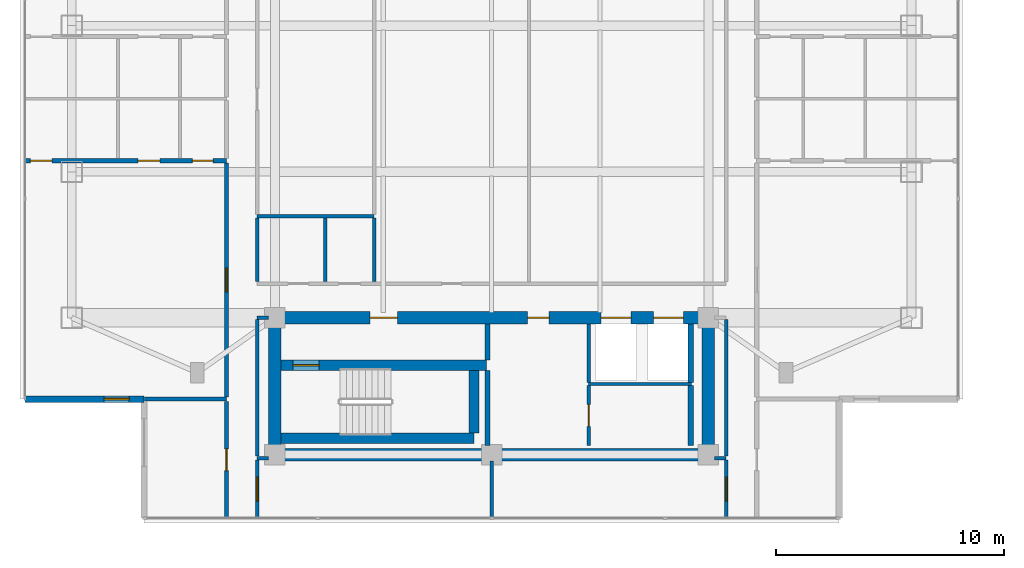
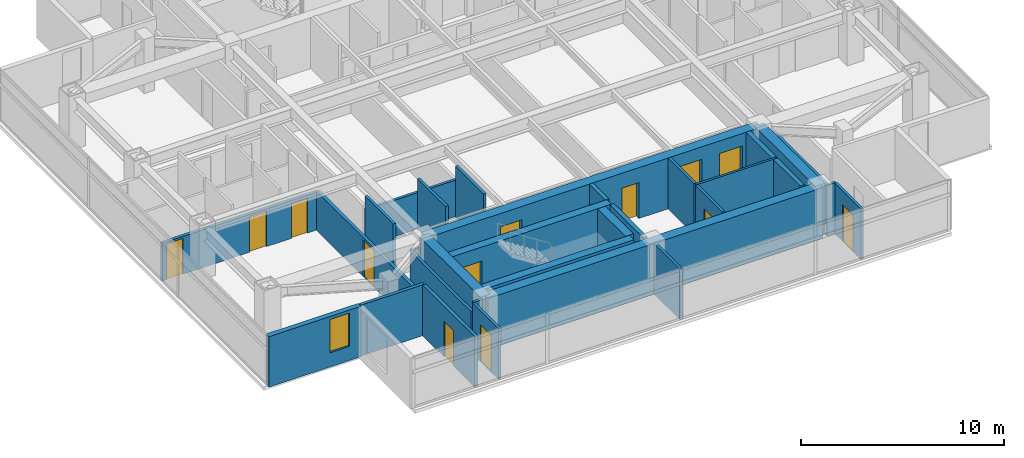
# One storey, part 12 of 24: 31 walls, 13 doors, 1 window, 14 openings.
"""IFC4 building model written with IfcOpenShell, lengths in metres."""

from ifc_helpers import new_model, si_unit, direction, frame, frame_2d, origin, place, context, subcontext, project, spatial, rectangle, extrude, material, layer, layer_set, type_object, element, fill, save


model = new_model("IFC4")

# Units and contexts
model_context = context("Model", 3, precision=1e-05, world=origin(), true_north=direction((0.0, 1.0)))
body_context = subcontext(model_context, "Body", "Model", "MODEL_VIEW")
ifc_project = project(units=[si_unit("LENGTHUNIT", "METRE"), si_unit("AREAUNIT", "SQUARE_METRE"), si_unit("VOLUMEUNIT", "CUBIC_METRE"), si_unit("PLANEANGLEUNIT", "RADIAN"), si_unit("MASSUNIT", "GRAM", prefix="KILO")], contexts=[model_context])

# Site, building, storey
site_placement = place(None, origin())
site = spatial("IfcSite", under=ifc_project, at=site_placement, CompositionType="ELEMENT")
building_placement = place(site_placement, origin())
building = spatial("IfcBuilding", under=site, at=building_placement, Name="Mirazonda Arch Towers", CompositionType="ELEMENT")
storey_placement = place(building_placement, frame((0.0, 0.0, 196.64990234375)))
storey = spatial("IfcBuildingStorey", under=building, at=storey_placement, Name="L56", CompositionType="ELEMENT", Elevation=196.64990234375)

# Wall
ifc_material_1 = material(Name="Concrete C50/60", Category="concrete")
ifc_layer_1 = layer(ifc_material_1, 0.449951171875, Name="WALL-CORE-450")
ifc_layer_set_1 = layer_set([ifc_layer_1], Name="Concrete C50/60")
wall_type_1 = type_object("IfcWallType", Name="WALL-CORE-450", PredefinedType="SHEAR", material=ifc_layer_set_1)
wall_1_placement = place(storey_placement, frame((11.27001953125, 13.1201171875, 0.0), z_axis=(0.0, 0.0, 1.0), x_axis=(1.0, 0.0, 0.0)))
element("IfcWall", 1, at=wall_1_placement, inside=storey, type_object=wall_type_1, Name="L56 Stair Core Shear Wall 003", PredefinedType="SHEAR", context=body_context, shape_type="SweptSolid", body=[
    extrude(rectangle(XDim=8.4599609375, YDim=0.449951171875, at=frame_2d((4.22998046875, 0.0))), origin(), (0.0, 0.0, 1.0), 3.050048828125),
])

# Wall, opening, door
wall_2_placement = place(storey_placement, frame((11.27001953125, 16.320068359375, 0.0), z_axis=(0.0, 0.0, 1.0), x_axis=(1.0, 0.0, 0.0)))
wall_2 = element("IfcWall", 2, at=wall_2_placement, inside=storey, type_object=wall_type_1, Name="L56 Stair Core Shear Wall 007", PredefinedType="SHEAR", context=body_context, shape_type="SweptSolid", body=[
    extrude(rectangle(XDim=9.010009765625, YDim=0.449951171875, at=frame_2d((4.5048828125, 0.0))), origin(), (0.0, 0.0, 1.0), 3.050048828125),
])
opening_1_placement = place(wall_2_placement, frame((0.52001953125, 0.0, 0.0)))
opening_1 = element("IfcOpeningElement", 3, at=opening_1_placement, cuts=wall_2, Name="Opening DR-135", PredefinedType="OPENING", context=body_context, shape_type="SweptSolid", body=[
    extrude(rectangle(XDim=1.14990234375, YDim=2.199951171875, at=frame_2d((0.574951171875, 1.10009765625))), frame((0.0, 0.23486328125, 0.0), z_axis=(0.0, -1.0, 0.0), x_axis=(1.0, 0.0, 0.0)), (0.0, 0.0, 1.0), 0.469970703125),
])
ifc_material_2 = material(Name="Architectural Brushed Steel S355", Category="steel")
door_type_1 = type_object("IfcDoorType", Name="DOOR-STAIR-FD90-1150", OperationType="NOTDEFINED", PredefinedType="DOOR", material=ifc_material_2)
door_1_placement = place(opening_1_placement, origin())
door_1 = element("IfcDoor", 4, at=door_1_placement, inside=storey, type_object=door_type_1, Name="L56 Protected Exit Stair South Door", OperationType="SINGLE_SWING_LEFT", OverallHeight=2.199951171875, OverallWidth=1.14990234375, PredefinedType="DOOR", context=body_context, shape_type="SweptSolid", body=[
    extrude(rectangle(XDim=1.14990234375, YDim=2.199951171875, at=frame_2d((0.574951171875, 1.10009765625))), frame((0.0, 0.02490234375, 0.0), z_axis=(0.0, -1.0, 0.0), x_axis=(1.0, 0.0, 0.0)), (0.0, 0.0, 1.0), 0.050048828125),
])
fill(opening_1, door_1)

# Walls
wall_3_placement = place(storey_placement, frame((19.72998046875, 13.35498046875, 0.0), z_axis=(0.0, 0.0, 1.0), x_axis=(0.0, 1.0, 0.0)))
element("IfcWall", 5, at=wall_3_placement, inside=storey, type_object=wall_type_1, Name="L56 Stair Core Shear Wall 076", PredefinedType="SHEAR", context=body_context, shape_type="SweptSolid", body=[
    extrude(rectangle(XDim=2.72998046875, YDim=0.449951171875, at=frame_2d((1.364990234375, 0.0))), origin(), (0.0, 0.0, 1.0), 3.050048828125),
])
ifc_layer_2 = layer(ifc_material_1, 0.550048828125, Name="WALL-CORE-550")
ifc_layer_set_2 = layer_set([ifc_layer_2], Name="Concrete C50/60")
wall_type_2 = type_object("IfcWallType", Name="WALL-CORE-550", PredefinedType="SHEAR", material=ifc_layer_set_2)
wall_4_placement = place(storey_placement, frame((11.0, 12.39990234375, 0.0), z_axis=(0.0, 0.0, 1.0), x_axis=(1.0, 0.0, 0.0)))
element("IfcWall", 6, at=wall_4_placement, inside=storey, type_object=wall_type_2, Name="L56 T1S-S Core Shear Wall", PredefinedType="SHEAR", context=body_context, shape_type="SweptSolid", body=[
    extrude(rectangle(XDim=19.0, YDim=0.550048828125, at=frame_2d((9.5, 0.0))), origin(), (0.0, 0.0, 1.0), 3.050048828125),
])
for number, where, z_axis, x_axis, name in (
    (7, (11.0, 12.39990234375, 0.0), (0.0, 0.0, 1.0), (0.0, 1.0, 0.0), "L56 T1S-W Core Shear Wall"),
    (8, (30.0, 12.39990234375, 0.0), (0.0, 0.0, 1.0), (0.0, 1.0, 0.0), "L56 T1S-E Core Shear Wall"),
):
    element("IfcWall", number, at=place(storey_placement, frame(where, z_axis=z_axis, x_axis=x_axis)), inside=storey, type_object=wall_type_2, Name=name, PredefinedType="SHEAR", context=body_context, shape_type="SweptSolid", body=[
        extrude(rectangle(XDim=6.0, YDim=0.550048828125, at=frame_2d((3.0, 0.0))), origin(), (0.0, 0.0, 1.0), 3.050048828125),
    ])

# Wall, openings, doors
wall_5_placement = place(storey_placement, frame((11.0, 18.39990234375, 0.0), z_axis=(0.0, 0.0, 1.0), x_axis=(1.0, 0.0, 0.0)))
wall_5 = element("IfcWall", 9, at=wall_5_placement, inside=storey, type_object=wall_type_2, Name="L56 T1S-N Core Shear Wall", PredefinedType="SHEAR", context=body_context, shape_type="SweptSolid", body=[
    extrude(rectangle(XDim=19.0, YDim=0.550048828125, at=frame_2d((9.5, 0.0))), origin(), (0.0, 0.0, 1.0), 3.050048828125),
])
opening_2_placement = place(wall_5_placement, frame((4.175048828125, 0.0, 0.0)))
opening_2 = element("IfcOpeningElement", 10, at=opening_2_placement, cuts=wall_5, Name="Opening DR-117", PredefinedType="OPENING", context=body_context, shape_type="SweptSolid", body=[
    extrude(rectangle(XDim=1.199951171875, YDim=2.25, at=frame_2d((0.60009765625, 1.125))), frame((0.0, 0.284912109375, 0.0), z_axis=(0.0, -1.0, 0.0), x_axis=(1.0, 0.0, 0.0)), (0.0, 0.0, 1.0), 0.570068359375),
])
opening_3_placement = place(wall_5_placement, frame((11.074951171875, 0.0, 0.0)))
opening_3 = element("IfcOpeningElement", 11, at=opening_3_placement, cuts=wall_5, Name="Opening DR-104", PredefinedType="OPENING", context=body_context, shape_type="SweptSolid", body=[
    extrude(rectangle(XDim=0.949951171875, YDim=2.14990234375, at=frame_2d((0.47509765625, 1.074951171875))), frame((0.0, 0.284912109375, 0.0), z_axis=(0.0, -1.0, 0.0), x_axis=(1.0, 0.0, 0.0)), (0.0, 0.0, 1.0), 0.570068359375),
])
opening_4_placement = place(wall_5_placement, frame((14.300048828125, 0.0, 0.0)))
opening_4 = element("IfcOpeningElement", 12, at=opening_4_placement, cuts=wall_5, Name="Opening LD-111", PredefinedType="OPENING", context=body_context, shape_type="SweptSolid", body=[
    extrude(rectangle(XDim=1.300048828125, YDim=2.300048828125, at=frame_2d((0.64990234375, 1.14990234375))), frame((0.0, 0.284912109375, 0.0), z_axis=(0.0, -1.0, 0.0), x_axis=(1.0, 0.0, 0.0)), (0.0, 0.0, 1.0), 0.570068359375),
])
opening_5_placement = place(wall_5_placement, frame((16.60009765625, 0.0, 0.0)))
opening_5 = element("IfcOpeningElement", 13, at=opening_5_placement, cuts=wall_5, Name="Opening LD-111", PredefinedType="OPENING", context=body_context, shape_type="SweptSolid", body=[
    extrude(rectangle(XDim=1.300048828125, YDim=2.300048828125, at=frame_2d((0.64990234375, 1.14990234375))), frame((0.0, 0.284912109375, 0.0), z_axis=(0.0, -1.0, 0.0), x_axis=(1.0, 0.0, 0.0)), (0.0, 0.0, 1.0), 0.570068359375),
])
door_type_2 = type_object("IfcDoorType", Name="DOOR-FFL-FD90-1200", OperationType="NOTDEFINED", PredefinedType="DOOR", material=ifc_material_2)
door_2_placement = place(opening_2_placement, origin())
door_2 = element("IfcDoor", 14, at=door_2_placement, inside=storey, type_object=door_type_2, Name="L56 South Core Stair & Lift Lobby Door", OperationType="SINGLE_SWING_RIGHT", OverallHeight=2.25, OverallWidth=1.199951171875, PredefinedType="DOOR", context=body_context, shape_type="SweptSolid", body=[
    extrude(rectangle(XDim=1.199951171875, YDim=2.25, at=frame_2d((0.60009765625, 1.125))), frame((0.0, 0.02490234375, 0.0), z_axis=(0.0, -1.0, 0.0), x_axis=(1.0, 0.0, 0.0)), (0.0, 0.0, 1.0), 0.050048828125),
])
fill(opening_2, door_2)
door_type_3 = type_object("IfcDoorType", Name="DOOR-LIFT-LAND-1300", OperationType="NOTDEFINED", PredefinedType="DOOR", material=ifc_material_2)
door_3_placement = place(opening_4_placement, origin())
door_3 = element("IfcDoor", 15, at=door_3_placement, inside=storey, type_object=door_type_3, Name="L56 Lift Landing Sliding Door PL-T1H1", OperationType="DOUBLE_DOOR_SLIDING", OverallHeight=2.300048828125, OverallWidth=1.300048828125, PredefinedType="DOOR", context=body_context, shape_type="SweptSolid", body=[
    extrude(rectangle(XDim=1.300048828125, YDim=2.300048828125, at=frame_2d((0.64990234375, 1.14990234375))), frame((0.0, 0.02490234375, 0.0), z_axis=(0.0, -1.0, 0.0), x_axis=(1.0, 0.0, 0.0)), (0.0, 0.0, 1.0), 0.050048828125),
])
fill(opening_4, door_3)
door_4_placement = place(opening_5_placement, origin())
door_4 = element("IfcDoor", 16, at=door_4_placement, inside=storey, type_object=door_type_3, Name="L56 Lift Landing Sliding Door PL-T1H2", OperationType="DOUBLE_DOOR_SLIDING", OverallHeight=2.300048828125, OverallWidth=1.300048828125, PredefinedType="DOOR", context=body_context, shape_type="SweptSolid", body=[
    extrude(rectangle(XDim=1.300048828125, YDim=2.300048828125, at=frame_2d((0.64990234375, 1.14990234375))), frame((0.0, 0.02490234375, 0.0), z_axis=(0.0, -1.0, 0.0), x_axis=(1.0, 0.0, 0.0)), (0.0, 0.0, 1.0), 0.050048828125),
])
fill(opening_5, door_4)
door_type_4 = type_object("IfcDoorType", Name="DOOR-ROOM-950", OperationType="NOTDEFINED", PredefinedType="DOOR", material=ifc_material_2)
door_5_placement = place(opening_3_placement, origin())
door_5 = element("IfcDoor", 17, at=door_5_placement, inside=storey, type_object=door_type_4, Name="L56 Residents Wine Tasting Lounge Door", OperationType="SINGLE_SWING_RIGHT", OverallHeight=2.14990234375, OverallWidth=0.949951171875, PredefinedType="DOOR", context=body_context, shape_type="SweptSolid", body=[
    extrude(rectangle(XDim=0.949951171875, YDim=2.14990234375, at=frame_2d((0.47509765625, 1.074951171875))), frame((0.0, 0.02490234375, 0.0), z_axis=(0.0, -1.0, 0.0), x_axis=(1.0, 0.0, 0.0)), (0.0, 0.0, 1.0), 0.050048828125),
])
fill(opening_3, door_5)

# Wall, opening, window
ifc_material_3 = material(Name="Precast Concrete C40/50", Category="concrete")
ifc_layer_3 = layer(ifc_material_3, 0.280029296875, Name="WALL-EXT-WALL-280")
ifc_layer_set_3 = layer_set([ifc_layer_3], Name="Precast Concrete C40/50")
wall_type_3 = type_object("IfcWallType", Name="WALL-EXT-WALL-280", PredefinedType="SOLIDWALL", material=ifc_layer_set_3)
wall_6_placement = place(storey_placement, frame((0.050048828125, 14.8330078125, 0.0), z_axis=(0.0, 0.0, 1.0), x_axis=(1.0, 0.0, 0.0)))
wall_6 = element("IfcWall", 18, at=wall_6_placement, inside=storey, type_object=wall_type_3, Name="L56 T1 Corner Notch Return Wall WL-L56-T1-CSW2", PredefinedType="SOLIDWALL", context=body_context, shape_type="SweptSolid", body=[
    extrude(rectangle(XDim=5.21484375, YDim=0.280029296875, at=frame_2d((2.607421875, 0.0))), origin(), (0.0, 0.0, 1.0), 3.030029296875),
])
opening_6_placement = place(wall_6_placement, frame((3.465087890625, 0.0, 0.85009765625)))
opening_6 = element("IfcOpeningElement", 19, at=opening_6_placement, cuts=wall_6, Name="Opening WN-108", PredefinedType="OPENING", context=body_context, shape_type="SweptSolid", body=[
    extrude(rectangle(XDim=1.10009765625, YDim=2.0, at=frame_2d((0.550048828125, 1.0))), frame((0.0, 0.14990234375, 0.0), z_axis=(0.0, -1.0, 0.0), x_axis=(1.0, 0.0, 0.0)), (0.0, 0.0, 1.0), 0.300048828125),
])
ifc_material_4 = material(Name="Insulated Low-E Solar Glass", Category="glass")
window_type = type_object("IfcWindowType", Name="WIN-NOTCH-1100x2000", PartitioningType="SINGLE_PANEL", PredefinedType="WINDOW", material=ifc_material_4)
window_placement = place(opening_6_placement, origin())
window = element("IfcWindow", 20, at=window_placement, inside=storey, type_object=window_type, Name="L56 Punched Facade Window WN-L56-T1-CSW2", OverallHeight=2.0, OverallWidth=1.10009765625, PartitioningType="SINGLE_PANEL", PredefinedType="WINDOW", context=body_context, shape_type="SweptSolid", body=[
    extrude(rectangle(XDim=1.10009765625, YDim=2.0, at=frame_2d((0.550048828125, 1.0))), frame((0.0, 0.030029296875, 0.0), z_axis=(0.0, -1.0, 0.0), x_axis=(1.0, 0.0, 0.0)), (0.0, 0.0, 1.0), 0.06005859375),
])
fill(opening_6, window)

# Walls
ifc_material_5 = material(Name="Concrete C40/50", Category="concrete")
ifc_layer_4 = layer(ifc_material_5, 0.219970703125, Name="WALL-FFL-220")
ifc_layer_set_4 = layer_set([ifc_layer_4], Name="Concrete C40/50")
wall_type_4 = type_object("IfcWallType", Name="WALL-FFL-220", PredefinedType="SOLIDWALL", material=ifc_layer_set_4)
wall_7_placement = place(storey_placement, frame((20.31494140625, 12.800048828125, 0.0), z_axis=(0.0, 0.0, 1.0), x_axis=(0.0, 1.0, 0.0)))
element("IfcWall", 21, at=wall_7_placement, inside=storey, type_object=wall_type_4, Name="L56 Interior Partition 078", PredefinedType="SOLIDWALL", context=body_context, shape_type="SweptSolid", body=[
    extrude(rectangle(XDim=3.284912109375, YDim=0.219970703125, at=frame_2d((1.642578125, 0.0))), origin(), (0.0, 0.0, 1.0), 3.050048828125),
])
wall_8_placement = place(storey_placement, frame((20.31494140625, 16.554931640625, 0.0), z_axis=(0.0, 0.0, 1.0), x_axis=(0.0, 1.0, 0.0)))
element("IfcWall", 22, at=wall_8_placement, inside=storey, type_object=wall_type_4, Name="L56 Interior Partition 079", PredefinedType="SOLIDWALL", context=body_context, shape_type="SweptSolid", body=[
    extrude(rectangle(XDim=1.574951171875, YDim=0.219970703125, at=frame_2d((0.78759765625, 0.0))), origin(), (0.0, 0.0, 1.0), 3.050048828125),
])
ifc_material_6 = material(Name="Fire-Rated Gypsum Stud Partition")
ifc_layer_5 = layer(ifc_material_6, 0.14990234375, Name="WALL-PART-CORR-150")
ifc_layer_set_5 = layer_set([ifc_layer_5], Name="Fire-Rated Gypsum Stud Partition")
wall_type_5 = type_object("IfcWallType", Name="WALL-PART-CORR-150", PredefinedType="PARTITIONING", material=ifc_layer_set_5)
for number, where, z_axis, x_axis, name in (
    (23, (10.219970703125, 12.25, 0.0), (0.0, 0.0, 1.0), (1.0, 0.0, 0.0), "L56 Interior Partition 001"),
    (24, (30.27001953125, 12.25, 0.0), (0.0, 0.0, 1.0), (1.0, 0.0, 0.0), "L56 Interior Partition 002"),
):
    element("IfcWall", number, at=place(storey_placement, frame(where, z_axis=z_axis, x_axis=x_axis)), inside=storey, type_object=wall_type_5, Name=name, PredefinedType="PARTITIONING", context=body_context, shape_type="SweptSolid", body=[
        extrude(rectangle(XDim=0.510009765625, YDim=0.14990234375, at=frame_2d((0.2548828125, 0.0))), origin(), (0.0, 0.0, 1.0), 3.050048828125),
    ])
wall_9_placement = place(storey_placement, frame((10.219970703125, 18.39990234375, 0.0), z_axis=(0.0, 0.0, 1.0), x_axis=(1.0, 0.0, 0.0)))
element("IfcWall", 25, at=wall_9_placement, inside=storey, type_object=wall_type_5, Name="L56 Interior Partition 011", PredefinedType="PARTITIONING", context=body_context, shape_type="SweptSolid", body=[
    extrude(rectangle(XDim=0.510009765625, YDim=0.14990234375, at=frame_2d((0.2548828125, 0.0))), origin(), (0.0, 0.0, 1.0), 2.442138671875),
])
wall_10_placement = place(storey_placement, frame((10.219970703125, 22.85009765625, 0.0), z_axis=(0.0, 0.0, 1.0), x_axis=(1.0, 0.0, 0.0)))
element("IfcWall", 26, at=wall_10_placement, inside=storey, type_object=wall_type_5, Name="L56 Interior Partition 022", PredefinedType="PARTITIONING", context=body_context, shape_type="SweptSolid", body=[
    extrude(rectangle(XDim=5.130126953125, YDim=0.14990234375, at=frame_2d((2.56494140625, 0.0))), origin(), (0.0, 0.0, 1.0), 2.18603515625),
])

# Wall, opening, door
wall_11_placement = place(storey_placement, frame((10.219970703125, 9.617919921875, 0.0), z_axis=(0.0, 0.0, 1.0), x_axis=(0.0, 1.0, 0.0)))
wall_11 = element("IfcWall", 27, at=wall_11_placement, inside=storey, type_object=wall_type_5, Name="L56 Interior Partition 064", PredefinedType="PARTITIONING", context=body_context, shape_type="SweptSolid", body=[
    extrude(rectangle(XDim=2.547119140625, YDim=0.14990234375, at=frame_2d((1.2734375, 0.0))), origin(), (0.0, 0.0, 1.0), 3.050048828125),
])
opening_7_placement = place(wall_11_placement, frame((0.74853515625, 0.0, 0.0)))
opening_7 = element("IfcOpeningElement", 28, at=opening_7_placement, cuts=wall_11, Name="Opening DR-121", PredefinedType="OPENING", context=body_context, shape_type="SweptSolid", body=[
    extrude(rectangle(XDim=1.050048828125, YDim=2.199951171875, at=frame_2d((0.52490234375, 1.10009765625))), frame((0.0, 0.0849609375, 0.0), z_axis=(0.0, -1.0, 0.0), x_axis=(1.0, 0.0, 0.0)), (0.0, 0.0, 1.0), 0.169921875),
])
door_type_5 = type_object("IfcDoorType", Name="DOOR-SUITE-FD60-1050", OperationType="NOTDEFINED", PredefinedType="DOOR", material=ifc_material_2)
door_6_placement = place(opening_7_placement, origin())
door_6 = element("IfcDoor", 29, at=door_6_placement, inside=storey, type_object=door_type_5, Name="L56 South Panoramic Study West Door", OperationType="SINGLE_SWING_LEFT", OverallHeight=2.199951171875, OverallWidth=1.050048828125, PredefinedType="DOOR", context=body_context, shape_type="SweptSolid", body=[
    extrude(rectangle(XDim=1.050048828125, YDim=2.199951171875, at=frame_2d((0.52490234375, 1.10009765625))), frame((0.0, 0.02490234375, 0.0), z_axis=(0.0, -1.0, 0.0), x_axis=(1.0, 0.0, 0.0)), (0.0, 0.0, 1.0), 0.050048828125),
])
fill(opening_7, door_6)

# Walls
wall_12_placement = place(storey_placement, frame((10.219970703125, 12.3349609375, 0.0), z_axis=(0.0, 0.0, 1.0), x_axis=(0.0, 1.0, 0.0)))
element("IfcWall", 30, at=wall_12_placement, inside=storey, type_object=wall_type_5, Name="L56 Interior Partition 065", PredefinedType="PARTITIONING", context=body_context, shape_type="SweptSolid", body=[
    extrude(rectangle(XDim=5.97998046875, YDim=0.14990234375, at=frame_2d((2.989990234375, 0.0))), origin(), (0.0, 0.0, 1.0), 2.442138671875),
])
for number, where, z_axis, x_axis, name in (
    (31, (10.219970703125, 19.985107421875, 0.0), (0.0, 0.0, 1.0), (0.0, 1.0, 0.0), "L56 Interior Partition 066"),
    (32, (13.199951171875, 19.985107421875, 0.0), (0.0, 0.0, 1.0), (0.0, 1.0, 0.0), "L56 Interior Partition 071"),
    (33, (15.35009765625, 19.985107421875, 0.0), (0.0, 0.0, 1.0), (0.0, 1.0, 0.0), "L56 Interior Partition 072"),
):
    element("IfcWall", number, at=place(storey_placement, frame(where, z_axis=z_axis, x_axis=x_axis)), inside=storey, type_object=wall_type_5, Name=name, PredefinedType="PARTITIONING", context=body_context, shape_type="SweptSolid", body=[
        extrude(rectangle(XDim=2.77978515625, YDim=0.14990234375, at=frame_2d((1.389892578125, 0.0))), origin(), (0.0, 0.0, 1.0), 3.050048828125),
    ])
wall_13_placement = place(storey_placement, frame((20.5, 9.617919921875, 0.0), z_axis=(0.0, 0.0, 1.0), x_axis=(0.0, 1.0, 0.0)))
element("IfcWall", 34, at=wall_13_placement, inside=storey, type_object=wall_type_5, Name="L56 Interior Partition 081", PredefinedType="PARTITIONING", context=body_context, shape_type="SweptSolid", body=[
    extrude(rectangle(XDim=2.511962890625, YDim=0.14990234375, at=frame_2d((1.255859375, 0.0))), origin(), (0.0, 0.0, 1.0), 3.050048828125),
])

# Wall, opening, door
wall_14_placement = place(storey_placement, frame((24.75, 12.800048828125, 0.0), z_axis=(0.0, 0.0, 1.0), x_axis=(0.0, 1.0, 0.0)))
wall_14 = element("IfcWall", 35, at=wall_14_placement, inside=storey, type_object=wall_type_5, Name="L56 Interior Partition 084", PredefinedType="PARTITIONING", context=body_context, shape_type="SweptSolid", body=[
    extrude(rectangle(XDim=2.62744140625, YDim=0.14990234375, at=frame_2d((1.313720703125, 0.0))), origin(), (0.0, 0.0, 1.0), 3.050048828125),
])
opening_8_placement = place(wall_14_placement, frame((0.838623046875, 0.0, 0.0)))
opening_8 = element("IfcOpeningElement", 36, at=opening_8_placement, cuts=wall_14, Name="Opening DR-104", PredefinedType="OPENING", context=body_context, shape_type="SweptSolid", body=[
    extrude(rectangle(XDim=0.949951171875, YDim=2.14990234375, at=frame_2d((0.47509765625, 1.074951171875))), frame((0.0, 0.0849609375, 0.0), z_axis=(0.0, -1.0, 0.0), x_axis=(1.0, 0.0, 0.0)), (0.0, 0.0, 1.0), 0.169921875),
])
door_7_placement = place(opening_8_placement, origin())
door_7 = element("IfcDoor", 37, at=door_7_placement, inside=storey, type_object=door_type_4, Name="L56 Residents Private Archive Study Door", OperationType="SINGLE_SWING_LEFT", OverallHeight=2.14990234375, OverallWidth=0.949951171875, PredefinedType="DOOR", context=body_context, shape_type="SweptSolid", body=[
    extrude(rectangle(XDim=0.949951171875, YDim=2.14990234375, at=frame_2d((0.47509765625, 1.074951171875))), frame((0.0, 0.02490234375, 0.0), z_axis=(0.0, -1.0, 0.0), x_axis=(1.0, 0.0, 0.0)), (0.0, 0.0, 1.0), 0.050048828125),
])
fill(opening_8, door_7)

# Wall
wall_15_placement = place(storey_placement, frame((24.75, 15.572509765625, 0.0), z_axis=(0.0, 0.0, 1.0), x_axis=(0.0, 1.0, 0.0)))
element("IfcWall", 38, at=wall_15_placement, inside=storey, type_object=wall_type_5, Name="L56 Interior Partition 085", PredefinedType="PARTITIONING", context=body_context, shape_type="SweptSolid", body=[
    extrude(rectangle(XDim=2.557373046875, YDim=0.14990234375, at=frame_2d((1.27880859375, 0.0))), origin(), (0.0, 0.0, 1.0), 3.050048828125),
])

# Wall, opening, door
wall_16_placement = place(storey_placement, frame((30.780029296875, 9.617919921875, 0.0), z_axis=(0.0, 0.0, 1.0), x_axis=(0.0, 1.0, 0.0)))
wall_16 = element("IfcWall", 39, at=wall_16_placement, inside=storey, type_object=wall_type_5, Name="L56 Interior Partition 095", PredefinedType="PARTITIONING", context=body_context, shape_type="SweptSolid", body=[
    extrude(rectangle(XDim=2.547119140625, YDim=0.14990234375, at=frame_2d((1.2734375, 0.0))), origin(), (0.0, 0.0, 1.0), 3.050048828125),
])
opening_9_placement = place(wall_16_placement, frame((0.74853515625, 0.0, 0.0)))
opening_9 = element("IfcOpeningElement", 40, at=opening_9_placement, cuts=wall_16, Name="Opening DR-121", PredefinedType="OPENING", context=body_context, shape_type="SweptSolid", body=[
    extrude(rectangle(XDim=1.050048828125, YDim=2.199951171875, at=frame_2d((0.52490234375, 1.10009765625))), frame((0.0, 0.0849609375, 0.0), z_axis=(0.0, -1.0, 0.0), x_axis=(1.0, 0.0, 0.0)), (0.0, 0.0, 1.0), 0.169921875),
])
door_8_placement = place(opening_9_placement, origin())
door_8 = element("IfcDoor", 41, at=door_8_placement, inside=storey, type_object=door_type_5, Name="L56 South Panoramic Study East Door", OperationType="SINGLE_SWING_RIGHT", OverallHeight=2.199951171875, OverallWidth=1.050048828125, PredefinedType="DOOR", context=body_context, shape_type="SweptSolid", body=[
    extrude(rectangle(XDim=1.050048828125, YDim=2.199951171875, at=frame_2d((0.52490234375, 1.10009765625))), frame((0.0, 0.02490234375, 0.0), z_axis=(0.0, -1.0, 0.0), x_axis=(1.0, 0.0, 0.0)), (0.0, 0.0, 1.0), 0.050048828125),
])
fill(opening_9, door_8)

# Walls
wall_17_placement = place(storey_placement, frame((30.780029296875, 12.3349609375, 0.0), z_axis=(0.0, 0.0, 1.0), x_axis=(0.0, 1.0, 0.0)))
element("IfcWall", 42, at=wall_17_placement, inside=storey, type_object=wall_type_5, Name="L56 Interior Partition 096", PredefinedType="PARTITIONING", context=body_context, shape_type="SweptSolid", body=[
    extrude(rectangle(XDim=5.97998046875, YDim=0.14990234375, at=frame_2d((2.989990234375, 0.0))), origin(), (0.0, 0.0, 1.0), 2.442138671875),
])
ifc_material_7 = material(Name="Fire-Rated Gypsum Twin-Stud Assembly")
ifc_layer_6 = layer(ifc_material_7, 0.179931640625, Name="WALL-PART-DEMISE-180")
ifc_layer_set_6 = layer_set([ifc_layer_6], Name="Fire-Rated Gypsum Twin-Stud Assembly")
wall_type_6 = type_object("IfcWallType", Name="WALL-PART-DEMISE-180", PredefinedType="PARTITIONING", material=ifc_layer_set_6)
wall_18_placement = place(storey_placement, frame((5.284912109375, 14.8330078125, 0.0), z_axis=(0.0, 0.0, 1.0), x_axis=(1.0, 0.0, 0.0)))
element("IfcWall", 43, at=wall_18_placement, inside=storey, type_object=wall_type_6, Name="L56 Interior Partition 004", PredefinedType="PARTITIONING", context=body_context, shape_type="SweptSolid", body=[
    extrude(rectangle(XDim=3.594970703125, YDim=0.179931640625, at=frame_2d((1.79736328125, 0.0))), origin(), (0.0, 0.0, 1.0), 3.050048828125),
])

# Wall, openings, doors
wall_19_placement = place(storey_placement, frame((0.050048828125, 25.280029296875, 0.0), z_axis=(0.0, 0.0, 1.0), x_axis=(1.0, 0.0, 0.0)))
wall_19 = element("IfcWall", 44, at=wall_19_placement, inside=storey, type_object=wall_type_6, Name="L56 Interior Partition 024", PredefinedType="PARTITIONING", context=body_context, shape_type="SweptSolid", body=[
    extrude(rectangle(XDim=8.829833984375, YDim=0.179931640625, at=frame_2d((4.4150390625, 0.0))), origin(), (0.0, 0.0, 1.0), 2.26904296875),
])
opening_10_placement = place(wall_19_placement, frame((0.23193359375, 0.0, 0.0)))
opening_10 = element("IfcOpeningElement", 45, at=opening_10_placement, cuts=wall_19, Name="Opening DR-104", PredefinedType="OPENING", context=body_context, shape_type="SweptSolid", body=[
    extrude(rectangle(XDim=0.949951171875, YDim=2.14990234375, at=frame_2d((0.47509765625, 1.074951171875))), frame((0.0, 0.099853515625, 0.0), z_axis=(0.0, -1.0, 0.0), x_axis=(1.0, 0.0, 0.0)), (0.0, 0.0, 1.0), 0.199951171875),
])
opening_11_placement = place(wall_19_placement, frame((4.95703125, 0.0, 0.0)))
opening_11 = element("IfcOpeningElement", 46, at=opening_11_placement, cuts=wall_19, Name="Opening DR-104", PredefinedType="OPENING", context=body_context, shape_type="SweptSolid", body=[
    extrude(rectangle(XDim=0.949951171875, YDim=2.14990234375, at=frame_2d((0.47509765625, 1.074951171875))), frame((0.0, 0.099853515625, 0.0), z_axis=(0.0, -1.0, 0.0), x_axis=(1.0, 0.0, 0.0)), (0.0, 0.0, 1.0), 0.199951171875),
])
opening_12_placement = place(wall_19_placement, frame((7.340087890625, 0.0, 0.0)))
opening_12 = element("IfcOpeningElement", 47, at=opening_12_placement, cuts=wall_19, Name="Opening DR-120", PredefinedType="OPENING", context=body_context, shape_type="SweptSolid", body=[
    extrude(rectangle(XDim=0.89990234375, YDim=2.10009765625, at=frame_2d((0.449951171875, 1.050048828125))), frame((0.0, 0.099853515625, 0.0), z_axis=(0.0, -1.0, 0.0), x_axis=(1.0, 0.0, 0.0)), (0.0, 0.0, 1.0), 0.199951171875),
])
door_9_placement = place(opening_10_placement, origin())
door_9 = element("IfcDoor", 48, at=door_9_placement, inside=storey, type_object=door_type_4, Name="L56 Residence 1 Principal Bedroom Door", OperationType="SINGLE_SWING_RIGHT", OverallHeight=2.14990234375, OverallWidth=0.949951171875, PredefinedType="DOOR", context=body_context, shape_type="SweptSolid", body=[
    extrude(rectangle(XDim=0.949951171875, YDim=2.14990234375, at=frame_2d((0.47509765625, 1.074951171875))), frame((0.0, 0.02490234375, 0.0), z_axis=(0.0, -1.0, 0.0), x_axis=(1.0, 0.0, 0.0)), (0.0, 0.0, 1.0), 0.050048828125),
])
fill(opening_10, door_9)
door_10_placement = place(opening_11_placement, origin())
door_10 = element("IfcDoor", 49, at=door_10_placement, inside=storey, type_object=door_type_4, Name="L56 Residence 1 Fitted Kitchen Door", OperationType="SINGLE_SWING_LEFT", OverallHeight=2.14990234375, OverallWidth=0.949951171875, PredefinedType="DOOR", context=body_context, shape_type="SweptSolid", body=[
    extrude(rectangle(XDim=0.949951171875, YDim=2.14990234375, at=frame_2d((0.47509765625, 1.074951171875))), frame((0.0, 0.02490234375, 0.0), z_axis=(0.0, -1.0, 0.0), x_axis=(1.0, 0.0, 0.0)), (0.0, 0.0, 1.0), 0.050048828125),
])
fill(opening_11, door_10)
door_type_6 = type_object("IfcDoorType", Name="DOOR-WC-900", OperationType="NOTDEFINED", PredefinedType="DOOR", material=ifc_material_2)
door_11_placement = place(opening_12_placement, origin())
door_11 = element("IfcDoor", 50, at=door_11_placement, inside=storey, type_object=door_type_6, Name="L56 Residence 1 Bathroom Door", OperationType="SINGLE_SWING_RIGHT", OverallHeight=2.10009765625, OverallWidth=0.89990234375, PredefinedType="DOOR", context=body_context, shape_type="SweptSolid", body=[
    extrude(rectangle(XDim=0.89990234375, YDim=2.10009765625, at=frame_2d((0.449951171875, 1.050048828125))), frame((0.0, 0.02490234375, 0.0), z_axis=(0.0, -1.0, 0.0), x_axis=(1.0, 0.0, 0.0)), (0.0, 0.0, 1.0), 0.050048828125),
])
fill(opening_12, door_11)

# Wall, opening, door
wall_20_placement = place(storey_placement, frame((8.8798828125, 9.617919921875, 0.0), z_axis=(0.0, 0.0, 1.0), x_axis=(0.0, 1.0, 0.0)))
wall_20 = element("IfcWall", 51, at=wall_20_placement, inside=storey, type_object=wall_type_6, Name="L56 Interior Partition 058", PredefinedType="PARTITIONING", context=body_context, shape_type="SweptSolid", body=[
    extrude(rectangle(XDim=5.114990234375, YDim=0.179931640625, at=frame_2d((2.5576171875, 0.0))), origin(), (0.0, 0.0, 1.0), 3.050048828125),
])
opening_13_placement = place(wall_20_placement, frame((2.08251953125, 0.0, 0.0)))
opening_13 = element("IfcOpeningElement", 52, at=opening_13_placement, cuts=wall_20, Name="Opening DR-104", PredefinedType="OPENING", context=body_context, shape_type="SweptSolid", body=[
    extrude(rectangle(XDim=0.949951171875, YDim=2.14990234375, at=frame_2d((0.47509765625, 1.074951171875))), frame((0.0, 0.099853515625, 0.0), z_axis=(0.0, -1.0, 0.0), x_axis=(1.0, 0.0, 0.0)), (0.0, 0.0, 1.0), 0.199951171875),
])
door_12_placement = place(opening_13_placement, origin())
door_12 = element("IfcDoor", 53, at=door_12_placement, inside=storey, type_object=door_type_4, Name="L56 South Panoramic Study Alcove West Door", OperationType="SINGLE_SWING_LEFT", OverallHeight=2.14990234375, OverallWidth=0.949951171875, PredefinedType="DOOR", context=body_context, shape_type="SweptSolid", body=[
    extrude(rectangle(XDim=0.949951171875, YDim=2.14990234375, at=frame_2d((0.47509765625, 1.074951171875))), frame((0.0, 0.02490234375, 0.0), z_axis=(0.0, -1.0, 0.0), x_axis=(1.0, 0.0, 0.0)), (0.0, 0.0, 1.0), 0.050048828125),
])
fill(opening_13, door_12)

wall_21_placement = place(storey_placement, frame((8.8798828125, 14.93310546875, 0.0), z_axis=(0.0, 0.0, 1.0), x_axis=(0.0, 1.0, 0.0)))
wall_21 = element("IfcWall", 54, at=wall_21_placement, inside=storey, type_object=wall_type_6, Name="L56 Interior Partition 059", PredefinedType="PARTITIONING", context=body_context, shape_type="SweptSolid", body=[
    extrude(rectangle(XDim=10.246826171875, YDim=0.179931640625, at=frame_2d((5.12353515625, 0.0))), origin(), (0.0, 0.0, 1.0), 2.34619140625),
])
opening_14_placement = place(wall_21_placement, frame((4.598388671875, 0.0, 0.0)))
opening_14 = element("IfcOpeningElement", 55, at=opening_14_placement, cuts=wall_21, Name="Opening DR-121", PredefinedType="OPENING", context=body_context, shape_type="SweptSolid", body=[
    extrude(rectangle(XDim=1.050048828125, YDim=2.199951171875, at=frame_2d((0.52490234375, 1.10009765625))), frame((0.0, 0.099853515625, 0.0), z_axis=(0.0, -1.0, 0.0), x_axis=(1.0, 0.0, 0.0)), (0.0, 0.0, 1.0), 0.199951171875),
])
door_13_placement = place(opening_14_placement, origin())
door_13 = element("IfcDoor", 56, at=door_13_placement, inside=storey, type_object=door_type_5, Name="L56 Penthouse Residence 1 Living & Dining Salon Door", OperationType="SINGLE_SWING_LEFT", OverallHeight=2.199951171875, OverallWidth=1.050048828125, PredefinedType="DOOR", context=body_context, shape_type="SweptSolid", body=[
    extrude(rectangle(XDim=1.050048828125, YDim=2.199951171875, at=frame_2d((0.52490234375, 1.10009765625))), frame((0.0, 0.02490234375, 0.0), z_axis=(0.0, -1.0, 0.0), x_axis=(1.0, 0.0, 0.0)), (0.0, 0.0, 1.0), 0.050048828125),
])
fill(opening_14, door_13)

# Walls
ifc_material_8 = material(Name="Acoustic Fire-Rated Gypsum Partition")
ifc_layer_7 = layer(ifc_material_8, 0.125, Name="WALL-PART-UNIT-125")
ifc_layer_set_7 = layer_set([ifc_layer_7], Name="Acoustic Fire-Rated Gypsum Partition")
wall_type_7 = type_object("IfcWallType", Name="WALL-PART-UNIT-125", PredefinedType="PARTITIONING", material=ifc_layer_set_7)
wall_22_placement = place(storey_placement, frame((24.75, 15.5, 0.0), z_axis=(0.0, 0.0, 1.0), x_axis=(1.0, 0.0, 0.0)))
element("IfcWall", 57, at=wall_22_placement, inside=storey, type_object=wall_type_7, Name="L56 Interior Partition 006", PredefinedType="PARTITIONING", context=body_context, shape_type="SweptSolid", body=[
    extrude(rectangle(XDim=4.5, YDim=0.125, at=frame_2d((2.25, 0.0))), origin(), (0.0, 0.0, 1.0), 3.050048828125),
])
ifc_layer_8 = layer(ifc_material_5, 0.25, Name="WALL-SHAFT-250")
ifc_layer_set_8 = layer_set([ifc_layer_8], Name="Concrete C40/50")
wall_type_8 = type_object("IfcWallType", Name="WALL-SHAFT-250", PredefinedType="SOLIDWALL", material=ifc_layer_set_8)
wall_23_placement = place(storey_placement, frame((29.22509765625, 12.800048828125, 0.0), z_axis=(0.0, 0.0, 1.0), x_axis=(0.0, 1.0, 0.0)))
element("IfcWall", 58, at=wall_23_placement, inside=storey, type_object=wall_type_8, Name="L56 Interior Partition 091", PredefinedType="SOLIDWALL", context=body_context, shape_type="SweptSolid", body=[
    extrude(rectangle(XDim=2.62744140625, YDim=0.25, at=frame_2d((1.313720703125, 0.0))), origin(), (0.0, 0.0, 1.0), 3.050048828125),
])
wall_24_placement = place(storey_placement, frame((29.22509765625, 15.572509765625, 0.0), z_axis=(0.0, 0.0, 1.0), x_axis=(0.0, 1.0, 0.0)))
element("IfcWall", 59, at=wall_24_placement, inside=storey, type_object=wall_type_8, Name="L56 Interior Partition 092", PredefinedType="SOLIDWALL", context=body_context, shape_type="SweptSolid", body=[
    extrude(rectangle(XDim=2.557373046875, YDim=0.25, at=frame_2d((1.27880859375, 0.0))), origin(), (0.0, 0.0, 1.0), 3.050048828125),
])

save(model, "model.ifc")
